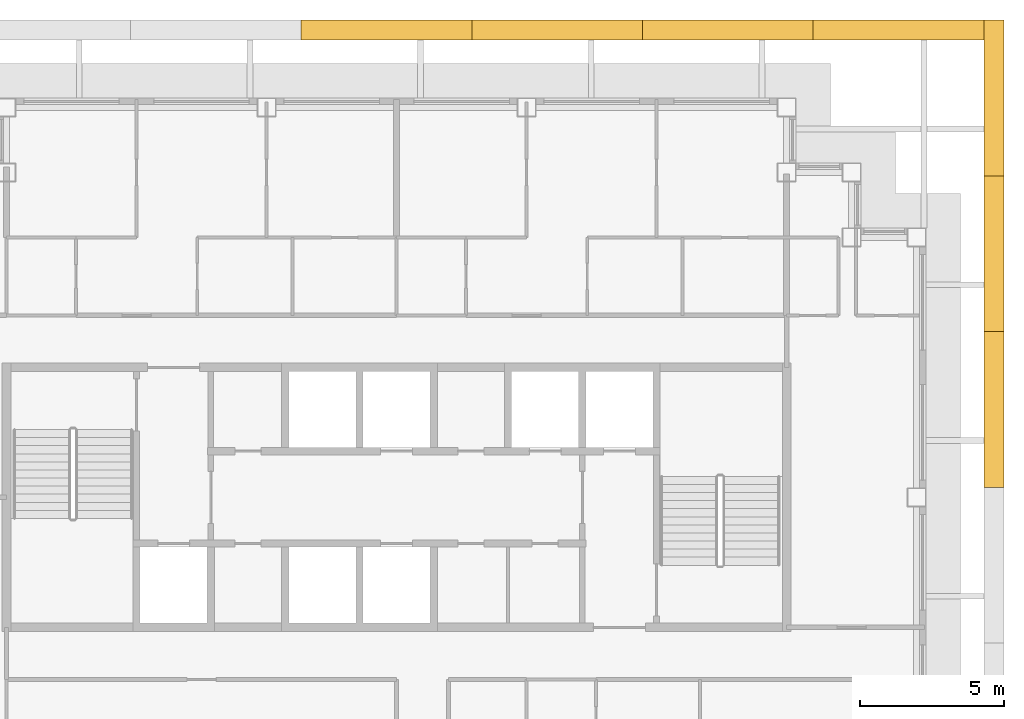
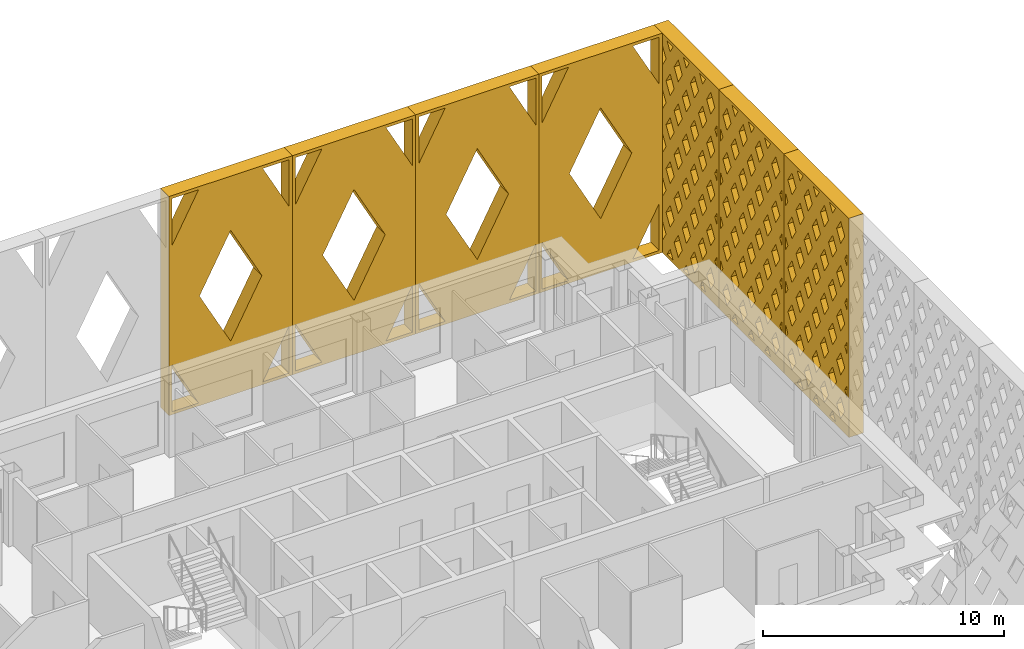
# One storey, part 17 of 17: 7 shading devices.
"""IFC4 building model written with IfcOpenShell, lengths in metres."""

from ifc_helpers import new_model, si_unit, direction, frame, origin, place, context, subcontext, project, spatial, polyline, outline, extrude, material, type_object, element, save


model = new_model("IFC4")

# Units and contexts
model_context = context("Model", 3, precision=1e-05, world=origin(), true_north=direction((0.0, 1.0)))
body_context = subcontext(model_context, "Body", "Model", "MODEL_VIEW")
ifc_project = project(units=[si_unit("LENGTHUNIT", "METRE"), si_unit("AREAUNIT", "SQUARE_METRE"), si_unit("VOLUMEUNIT", "CUBIC_METRE"), si_unit("PLANEANGLEUNIT", "RADIAN"), si_unit("MASSUNIT", "GRAM", prefix="KILO")], contexts=[model_context])

# Site, building, storey
site_placement = place(None, origin())
site = spatial("IfcSite", under=ifc_project, at=site_placement, CompositionType="ELEMENT")
building_placement = place(site_placement, origin())
building = spatial("IfcBuilding", under=site, at=building_placement, Name="Caravel Reach Hotel and Residences", CompositionType="ELEMENT")
storey_placement = place(building_placement, frame((0.0, 0.0, 222.0)))
storey = spatial("IfcBuildingStorey", under=building, at=storey_placement, Name="L56", CompositionType="ELEMENT", Elevation=222.0)

# Shading devices
ifc_material_1 = material(Name="Black powder-coated aluminium", Category="aluminium")
shading_device_type_1 = type_object("IfcShadingDeviceType", Name="Diamond lattice screen panel 5392 x 11100", PredefinedType="USERDEFINED", material=ifc_material_1)
shading_device_1_placement = place(storey_placement, frame((51.824951171875, 27.35009765625, 0.0), z_axis=(1.0, 0.0, 0.0), x_axis=(0.0, 1.0, 0.0)))
element("IfcShadingDevice", 1, at=shading_device_1_placement, inside=storey, type_object=shading_device_type_1, Name="Lattice screen L56-L58 3.4", ObjectType="SCREEN", PredefinedType="USERDEFINED", context=body_context, shape_type="SweptSolid", body=[
    extrude(outline(polyline([(0.0, 0.0), (5.3916015625, 0.0), (5.3916015625, 11.10009765625), (0.0, 11.10009765625), (0.0, 0.0)]), holes=[polyline([(0.338623046875, 2.219970703125), (0.14990234375, 2.53076171875), (0.14990234375, 1.9091796875), (0.338623046875, 2.219970703125)]), polyline([(0.338623046875, 4.43994140625), (0.14990234375, 4.750732421875), (0.14990234375, 4.129150390625), (0.338623046875, 4.43994140625)]), polyline([(0.338623046875, 6.659912109375), (0.14990234375, 6.970703125), (0.14990234375, 6.34912109375), (0.338623046875, 6.659912109375)]), polyline([(0.338623046875, 8.8798828125), (0.14990234375, 9.190673828125), (0.14990234375, 8.5693359375), (0.338623046875, 8.8798828125)]), polyline([(0.674072265625, 1.667724609375), (0.335205078125, 1.110107421875), (0.674072265625, 0.55224609375), (1.0126953125, 1.110107421875), (0.674072265625, 1.667724609375)]), polyline([(0.674072265625, 3.887939453125), (0.335205078125, 3.330078125), (0.674072265625, 2.772216796875), (1.0126953125, 3.330078125), (0.674072265625, 3.887939453125)]), polyline([(0.674072265625, 6.10791015625), (0.335205078125, 5.550048828125), (0.674072265625, 4.9921875), (1.0126953125, 5.550048828125), (0.674072265625, 6.10791015625)]), polyline([(0.674072265625, 8.327880859375), (0.335205078125, 7.77001953125), (0.674072265625, 7.212158203125), (1.0126953125, 7.77001953125), (0.674072265625, 8.327880859375)]), polyline([(0.674072265625, 10.5478515625), (0.335205078125, 9.989990234375), (0.674072265625, 9.43212890625), (1.0126953125, 9.989990234375), (0.674072265625, 10.5478515625)]), polyline([(1.347900390625, 0.557861328125), (1.100341796875, 0.14990234375), (1.595458984375, 0.14990234375), (1.347900390625, 0.557861328125)]), polyline([(1.347900390625, 2.77783203125), (1.00927734375, 2.219970703125), (1.347900390625, 1.662109375), (1.6865234375, 2.219970703125), (1.347900390625, 2.77783203125)]), polyline([(1.347900390625, 4.997802734375), (1.00927734375, 4.43994140625), (1.347900390625, 3.882080078125), (1.6865234375, 4.43994140625), (1.347900390625, 4.997802734375)]), polyline([(1.347900390625, 7.2177734375), (1.00927734375, 6.659912109375), (1.347900390625, 6.102294921875), (1.6865234375, 6.659912109375), (1.347900390625, 7.2177734375)]), polyline([(1.347900390625, 9.437744140625), (1.00927734375, 8.8798828125), (1.347900390625, 8.322265625), (1.6865234375, 8.8798828125), (1.347900390625, 9.437744140625)]), polyline([(1.347900390625, 10.542236328125), (1.595458984375, 10.949951171875), (1.100341796875, 10.949951171875), (1.347900390625, 10.542236328125)]), polyline([(2.02197265625, 1.667724609375), (1.68310546875, 1.110107421875), (2.02197265625, 0.55224609375), (2.360595703125, 1.110107421875), (2.02197265625, 1.667724609375)]), polyline([(2.02197265625, 3.887939453125), (1.68310546875, 3.330078125), (2.02197265625, 2.772216796875), (2.360595703125, 3.330078125), (2.02197265625, 3.887939453125)]), polyline([(2.02197265625, 6.10791015625), (1.68310546875, 5.550048828125), (2.02197265625, 4.9921875), (2.360595703125, 5.550048828125), (2.02197265625, 6.10791015625)]), polyline([(2.02197265625, 8.327880859375), (1.68310546875, 7.77001953125), (2.02197265625, 7.212158203125), (2.360595703125, 7.77001953125), (2.02197265625, 8.327880859375)]), polyline([(2.02197265625, 10.5478515625), (1.68310546875, 9.989990234375), (2.02197265625, 9.43212890625), (2.360595703125, 9.989990234375), (2.02197265625, 10.5478515625)]), polyline([(2.69580078125, 0.557861328125), (2.4482421875, 0.14990234375), (2.943359375, 0.14990234375), (2.69580078125, 0.557861328125)]), polyline([(2.69580078125, 2.77783203125), (2.357177734375, 2.219970703125), (2.69580078125, 1.662109375), (3.034423828125, 2.219970703125), (2.69580078125, 2.77783203125)]), polyline([(2.69580078125, 4.997802734375), (2.357177734375, 4.43994140625), (2.69580078125, 3.882080078125), (3.034423828125, 4.43994140625), (2.69580078125, 4.997802734375)]), polyline([(2.69580078125, 7.2177734375), (2.357177734375, 6.659912109375), (2.69580078125, 6.102294921875), (3.034423828125, 6.659912109375), (2.69580078125, 7.2177734375)]), polyline([(2.69580078125, 9.437744140625), (2.357177734375, 8.8798828125), (2.69580078125, 8.322265625), (3.034423828125, 8.8798828125), (2.69580078125, 9.437744140625)]), polyline([(2.69580078125, 10.542236328125), (2.943359375, 10.949951171875), (2.4482421875, 10.949951171875), (2.69580078125, 10.542236328125)]), polyline([(3.369873046875, 1.667724609375), (3.031005859375, 1.110107421875), (3.369873046875, 0.55224609375), (3.70849609375, 1.110107421875), (3.369873046875, 1.667724609375)]), polyline([(3.369873046875, 3.887939453125), (3.031005859375, 3.330078125), (3.369873046875, 2.772216796875), (3.70849609375, 3.330078125), (3.369873046875, 3.887939453125)]), polyline([(3.369873046875, 6.10791015625), (3.031005859375, 5.550048828125), (3.369873046875, 4.9921875), (3.70849609375, 5.550048828125), (3.369873046875, 6.10791015625)]), polyline([(3.369873046875, 8.327880859375), (3.031005859375, 7.77001953125), (3.369873046875, 7.212158203125), (3.70849609375, 7.77001953125), (3.369873046875, 8.327880859375)]), polyline([(3.369873046875, 10.5478515625), (3.031005859375, 9.989990234375), (3.369873046875, 9.43212890625), (3.70849609375, 9.989990234375), (3.369873046875, 10.5478515625)]), polyline([(4.043701171875, 0.557861328125), (3.796142578125, 0.14990234375), (4.291259765625, 0.14990234375), (4.043701171875, 0.557861328125)]), polyline([(4.043701171875, 2.77783203125), (3.705078125, 2.219970703125), (4.043701171875, 1.662109375), (4.38232421875, 2.219970703125), (4.043701171875, 2.77783203125)]), polyline([(4.043701171875, 4.997802734375), (3.705078125, 4.43994140625), (4.043701171875, 3.882080078125), (4.38232421875, 4.43994140625), (4.043701171875, 4.997802734375)]), polyline([(4.043701171875, 7.2177734375), (3.705078125, 6.659912109375), (4.043701171875, 6.102294921875), (4.38232421875, 6.659912109375), (4.043701171875, 7.2177734375)]), polyline([(4.043701171875, 9.437744140625), (3.705078125, 8.8798828125), (4.043701171875, 8.322265625), (4.38232421875, 8.8798828125), (4.043701171875, 9.437744140625)]), polyline([(4.043701171875, 10.542236328125), (4.291259765625, 10.949951171875), (3.796142578125, 10.949951171875), (4.043701171875, 10.542236328125)]), polyline([(4.7177734375, 1.667724609375), (4.37890625, 1.110107421875), (4.7177734375, 0.55224609375), (5.056396484375, 1.110107421875), (4.7177734375, 1.667724609375)]), polyline([(4.7177734375, 3.887939453125), (4.37890625, 3.330078125), (4.7177734375, 2.772216796875), (5.056396484375, 3.330078125), (4.7177734375, 3.887939453125)]), polyline([(4.7177734375, 6.10791015625), (4.37890625, 5.550048828125), (4.7177734375, 4.9921875), (5.056396484375, 5.550048828125), (4.7177734375, 6.10791015625)]), polyline([(4.7177734375, 8.327880859375), (4.37890625, 7.77001953125), (4.7177734375, 7.212158203125), (5.056396484375, 7.77001953125), (4.7177734375, 8.327880859375)]), polyline([(4.7177734375, 10.5478515625), (4.37890625, 9.989990234375), (4.7177734375, 9.43212890625), (5.056396484375, 9.989990234375), (4.7177734375, 10.5478515625)]), polyline([(5.052978515625, 2.219970703125), (5.24169921875, 1.9091796875), (5.24169921875, 2.53076171875), (5.052978515625, 2.219970703125)]), polyline([(5.052978515625, 4.43994140625), (5.24169921875, 4.129150390625), (5.24169921875, 4.750732421875), (5.052978515625, 4.43994140625)]), polyline([(5.052978515625, 6.659912109375), (5.24169921875, 6.34912109375), (5.24169921875, 6.970703125), (5.052978515625, 6.659912109375)]), polyline([(5.052978515625, 8.8798828125), (5.24169921875, 8.5693359375), (5.24169921875, 9.190673828125), (5.052978515625, 8.8798828125)])]), origin(), (0.0, 0.0, 1.0), 0.699951171875),
])
shading_device_2_placement = place(storey_placement, frame((51.824951171875, 32.74169921875, 0.0), z_axis=(1.0, 0.0, 0.0), x_axis=(0.0, 1.0, 0.0)))
element("IfcShadingDevice", 2, at=shading_device_2_placement, inside=storey, type_object=shading_device_type_1, Name="Lattice screen L56-L58 3.5", ObjectType="SCREEN", PredefinedType="USERDEFINED", context=body_context, shape_type="SweptSolid", body=[
    extrude(outline(polyline([(0.0, 0.0), (5.3916015625, 0.0), (5.3916015625, 11.10009765625), (0.0, 11.10009765625), (0.0, 0.0)]), holes=[polyline([(0.338623046875, 2.219970703125), (0.14990234375, 2.53076171875), (0.14990234375, 1.9091796875), (0.338623046875, 2.219970703125)]), polyline([(0.338623046875, 4.43994140625), (0.14990234375, 4.750732421875), (0.14990234375, 4.129150390625), (0.338623046875, 4.43994140625)]), polyline([(0.338623046875, 6.659912109375), (0.14990234375, 6.970703125), (0.14990234375, 6.34912109375), (0.338623046875, 6.659912109375)]), polyline([(0.338623046875, 8.8798828125), (0.14990234375, 9.190673828125), (0.14990234375, 8.5693359375), (0.338623046875, 8.8798828125)]), polyline([(0.674072265625, 1.667724609375), (0.335205078125, 1.110107421875), (0.674072265625, 0.55224609375), (1.0126953125, 1.110107421875), (0.674072265625, 1.667724609375)]), polyline([(0.674072265625, 3.887939453125), (0.335205078125, 3.330078125), (0.674072265625, 2.772216796875), (1.0126953125, 3.330078125), (0.674072265625, 3.887939453125)]), polyline([(0.674072265625, 6.10791015625), (0.335205078125, 5.550048828125), (0.674072265625, 4.9921875), (1.0126953125, 5.550048828125), (0.674072265625, 6.10791015625)]), polyline([(0.674072265625, 8.327880859375), (0.335205078125, 7.77001953125), (0.674072265625, 7.212158203125), (1.0126953125, 7.77001953125), (0.674072265625, 8.327880859375)]), polyline([(0.674072265625, 10.5478515625), (0.335205078125, 9.989990234375), (0.674072265625, 9.43212890625), (1.0126953125, 9.989990234375), (0.674072265625, 10.5478515625)]), polyline([(1.347900390625, 0.557861328125), (1.100341796875, 0.14990234375), (1.595458984375, 0.14990234375), (1.347900390625, 0.557861328125)]), polyline([(1.347900390625, 2.77783203125), (1.00927734375, 2.219970703125), (1.347900390625, 1.662109375), (1.6865234375, 2.219970703125), (1.347900390625, 2.77783203125)]), polyline([(1.347900390625, 4.997802734375), (1.00927734375, 4.43994140625), (1.347900390625, 3.882080078125), (1.6865234375, 4.43994140625), (1.347900390625, 4.997802734375)]), polyline([(1.347900390625, 7.2177734375), (1.00927734375, 6.659912109375), (1.347900390625, 6.102294921875), (1.6865234375, 6.659912109375), (1.347900390625, 7.2177734375)]), polyline([(1.347900390625, 9.437744140625), (1.00927734375, 8.8798828125), (1.347900390625, 8.322265625), (1.6865234375, 8.8798828125), (1.347900390625, 9.437744140625)]), polyline([(1.347900390625, 10.542236328125), (1.595458984375, 10.949951171875), (1.100341796875, 10.949951171875), (1.347900390625, 10.542236328125)]), polyline([(2.02197265625, 1.667724609375), (1.68310546875, 1.110107421875), (2.02197265625, 0.55224609375), (2.360595703125, 1.110107421875), (2.02197265625, 1.667724609375)]), polyline([(2.02197265625, 3.887939453125), (1.68310546875, 3.330078125), (2.02197265625, 2.772216796875), (2.360595703125, 3.330078125), (2.02197265625, 3.887939453125)]), polyline([(2.02197265625, 6.10791015625), (1.68310546875, 5.550048828125), (2.02197265625, 4.9921875), (2.360595703125, 5.550048828125), (2.02197265625, 6.10791015625)]), polyline([(2.02197265625, 8.327880859375), (1.68310546875, 7.77001953125), (2.02197265625, 7.212158203125), (2.360595703125, 7.77001953125), (2.02197265625, 8.327880859375)]), polyline([(2.02197265625, 10.5478515625), (1.68310546875, 9.989990234375), (2.02197265625, 9.43212890625), (2.360595703125, 9.989990234375), (2.02197265625, 10.5478515625)]), polyline([(2.69580078125, 0.557861328125), (2.4482421875, 0.14990234375), (2.943359375, 0.14990234375), (2.69580078125, 0.557861328125)]), polyline([(2.69580078125, 2.77783203125), (2.357177734375, 2.219970703125), (2.69580078125, 1.662109375), (3.034423828125, 2.219970703125), (2.69580078125, 2.77783203125)]), polyline([(2.69580078125, 4.997802734375), (2.357177734375, 4.43994140625), (2.69580078125, 3.882080078125), (3.034423828125, 4.43994140625), (2.69580078125, 4.997802734375)]), polyline([(2.69580078125, 7.2177734375), (2.357177734375, 6.659912109375), (2.69580078125, 6.102294921875), (3.034423828125, 6.659912109375), (2.69580078125, 7.2177734375)]), polyline([(2.69580078125, 9.437744140625), (2.357177734375, 8.8798828125), (2.69580078125, 8.322265625), (3.034423828125, 8.8798828125), (2.69580078125, 9.437744140625)]), polyline([(2.69580078125, 10.542236328125), (2.943359375, 10.949951171875), (2.4482421875, 10.949951171875), (2.69580078125, 10.542236328125)]), polyline([(3.369873046875, 1.667724609375), (3.031005859375, 1.110107421875), (3.369873046875, 0.55224609375), (3.70849609375, 1.110107421875), (3.369873046875, 1.667724609375)]), polyline([(3.369873046875, 3.887939453125), (3.031005859375, 3.330078125), (3.369873046875, 2.772216796875), (3.70849609375, 3.330078125), (3.369873046875, 3.887939453125)]), polyline([(3.369873046875, 6.10791015625), (3.031005859375, 5.550048828125), (3.369873046875, 4.9921875), (3.70849609375, 5.550048828125), (3.369873046875, 6.10791015625)]), polyline([(3.369873046875, 8.327880859375), (3.031005859375, 7.77001953125), (3.369873046875, 7.212158203125), (3.70849609375, 7.77001953125), (3.369873046875, 8.327880859375)]), polyline([(3.369873046875, 10.5478515625), (3.031005859375, 9.989990234375), (3.369873046875, 9.43212890625), (3.70849609375, 9.989990234375), (3.369873046875, 10.5478515625)]), polyline([(4.043701171875, 0.557861328125), (3.796142578125, 0.14990234375), (4.291259765625, 0.14990234375), (4.043701171875, 0.557861328125)]), polyline([(4.043701171875, 2.77783203125), (3.705078125, 2.219970703125), (4.043701171875, 1.662109375), (4.38232421875, 2.219970703125), (4.043701171875, 2.77783203125)]), polyline([(4.043701171875, 4.997802734375), (3.705078125, 4.43994140625), (4.043701171875, 3.882080078125), (4.38232421875, 4.43994140625), (4.043701171875, 4.997802734375)]), polyline([(4.043701171875, 7.2177734375), (3.705078125, 6.659912109375), (4.043701171875, 6.102294921875), (4.38232421875, 6.659912109375), (4.043701171875, 7.2177734375)]), polyline([(4.043701171875, 9.437744140625), (3.705078125, 8.8798828125), (4.043701171875, 8.322265625), (4.38232421875, 8.8798828125), (4.043701171875, 9.437744140625)]), polyline([(4.043701171875, 10.542236328125), (4.291259765625, 10.949951171875), (3.796142578125, 10.949951171875), (4.043701171875, 10.542236328125)]), polyline([(4.7177734375, 1.667724609375), (4.37890625, 1.110107421875), (4.7177734375, 0.55224609375), (5.056396484375, 1.110107421875), (4.7177734375, 1.667724609375)]), polyline([(4.7177734375, 3.887939453125), (4.37890625, 3.330078125), (4.7177734375, 2.772216796875), (5.056396484375, 3.330078125), (4.7177734375, 3.887939453125)]), polyline([(4.7177734375, 6.10791015625), (4.37890625, 5.550048828125), (4.7177734375, 4.9921875), (5.056396484375, 5.550048828125), (4.7177734375, 6.10791015625)]), polyline([(4.7177734375, 8.327880859375), (4.37890625, 7.77001953125), (4.7177734375, 7.212158203125), (5.056396484375, 7.77001953125), (4.7177734375, 8.327880859375)]), polyline([(4.7177734375, 10.5478515625), (4.37890625, 9.989990234375), (4.7177734375, 9.43212890625), (5.056396484375, 9.989990234375), (4.7177734375, 10.5478515625)]), polyline([(5.052978515625, 2.219970703125), (5.24169921875, 1.9091796875), (5.24169921875, 2.53076171875), (5.052978515625, 2.219970703125)]), polyline([(5.052978515625, 4.43994140625), (5.24169921875, 4.129150390625), (5.24169921875, 4.750732421875), (5.052978515625, 4.43994140625)]), polyline([(5.052978515625, 6.659912109375), (5.24169921875, 6.34912109375), (5.24169921875, 6.970703125), (5.052978515625, 6.659912109375)]), polyline([(5.052978515625, 8.8798828125), (5.24169921875, 8.5693359375), (5.24169921875, 9.190673828125), (5.052978515625, 8.8798828125)])]), origin(), (0.0, 0.0, 1.0), 0.699951171875),
])
shading_device_3_placement = place(storey_placement, frame((51.824951171875, 38.13330078125, 0.0), z_axis=(1.0, 0.0, 0.0), x_axis=(0.0, 1.0, 0.0)))
element("IfcShadingDevice", 3, at=shading_device_3_placement, inside=storey, type_object=shading_device_type_1, Name="Lattice screen L56-L58 3.6", ObjectType="SCREEN", PredefinedType="USERDEFINED", context=body_context, shape_type="SweptSolid", body=[
    extrude(outline(polyline([(0.0, 0.0), (5.3916015625, 0.0), (5.3916015625, 11.10009765625), (0.0, 11.10009765625), (0.0, 0.0)]), holes=[polyline([(0.338623046875, 2.219970703125), (0.14990234375, 2.53076171875), (0.14990234375, 1.9091796875), (0.338623046875, 2.219970703125)]), polyline([(0.338623046875, 4.43994140625), (0.14990234375, 4.750732421875), (0.14990234375, 4.129150390625), (0.338623046875, 4.43994140625)]), polyline([(0.338623046875, 6.659912109375), (0.14990234375, 6.970703125), (0.14990234375, 6.34912109375), (0.338623046875, 6.659912109375)]), polyline([(0.338623046875, 8.8798828125), (0.14990234375, 9.190673828125), (0.14990234375, 8.5693359375), (0.338623046875, 8.8798828125)]), polyline([(0.674072265625, 1.667724609375), (0.335205078125, 1.110107421875), (0.674072265625, 0.55224609375), (1.0126953125, 1.110107421875), (0.674072265625, 1.667724609375)]), polyline([(0.674072265625, 3.887939453125), (0.335205078125, 3.330078125), (0.674072265625, 2.772216796875), (1.0126953125, 3.330078125), (0.674072265625, 3.887939453125)]), polyline([(0.674072265625, 6.10791015625), (0.335205078125, 5.550048828125), (0.674072265625, 4.9921875), (1.0126953125, 5.550048828125), (0.674072265625, 6.10791015625)]), polyline([(0.674072265625, 8.327880859375), (0.335205078125, 7.77001953125), (0.674072265625, 7.212158203125), (1.0126953125, 7.77001953125), (0.674072265625, 8.327880859375)]), polyline([(0.674072265625, 10.5478515625), (0.335205078125, 9.989990234375), (0.674072265625, 9.43212890625), (1.0126953125, 9.989990234375), (0.674072265625, 10.5478515625)]), polyline([(1.347900390625, 0.557861328125), (1.100341796875, 0.14990234375), (1.595458984375, 0.14990234375), (1.347900390625, 0.557861328125)]), polyline([(1.347900390625, 2.77783203125), (1.00927734375, 2.219970703125), (1.347900390625, 1.662109375), (1.6865234375, 2.219970703125), (1.347900390625, 2.77783203125)]), polyline([(1.347900390625, 4.997802734375), (1.00927734375, 4.43994140625), (1.347900390625, 3.882080078125), (1.6865234375, 4.43994140625), (1.347900390625, 4.997802734375)]), polyline([(1.347900390625, 7.2177734375), (1.00927734375, 6.659912109375), (1.347900390625, 6.102294921875), (1.6865234375, 6.659912109375), (1.347900390625, 7.2177734375)]), polyline([(1.347900390625, 9.437744140625), (1.00927734375, 8.8798828125), (1.347900390625, 8.322265625), (1.6865234375, 8.8798828125), (1.347900390625, 9.437744140625)]), polyline([(1.347900390625, 10.542236328125), (1.595458984375, 10.949951171875), (1.100341796875, 10.949951171875), (1.347900390625, 10.542236328125)]), polyline([(2.02197265625, 1.667724609375), (1.68310546875, 1.110107421875), (2.02197265625, 0.55224609375), (2.360595703125, 1.110107421875), (2.02197265625, 1.667724609375)]), polyline([(2.02197265625, 3.887939453125), (1.68310546875, 3.330078125), (2.02197265625, 2.772216796875), (2.360595703125, 3.330078125), (2.02197265625, 3.887939453125)]), polyline([(2.02197265625, 6.10791015625), (1.68310546875, 5.550048828125), (2.02197265625, 4.9921875), (2.360595703125, 5.550048828125), (2.02197265625, 6.10791015625)]), polyline([(2.02197265625, 8.327880859375), (1.68310546875, 7.77001953125), (2.02197265625, 7.212158203125), (2.360595703125, 7.77001953125), (2.02197265625, 8.327880859375)]), polyline([(2.02197265625, 10.5478515625), (1.68310546875, 9.989990234375), (2.02197265625, 9.43212890625), (2.360595703125, 9.989990234375), (2.02197265625, 10.5478515625)]), polyline([(2.69580078125, 0.557861328125), (2.4482421875, 0.14990234375), (2.943359375, 0.14990234375), (2.69580078125, 0.557861328125)]), polyline([(2.69580078125, 2.77783203125), (2.357177734375, 2.219970703125), (2.69580078125, 1.662109375), (3.034423828125, 2.219970703125), (2.69580078125, 2.77783203125)]), polyline([(2.69580078125, 4.997802734375), (2.357177734375, 4.43994140625), (2.69580078125, 3.882080078125), (3.034423828125, 4.43994140625), (2.69580078125, 4.997802734375)]), polyline([(2.69580078125, 7.2177734375), (2.357177734375, 6.659912109375), (2.69580078125, 6.102294921875), (3.034423828125, 6.659912109375), (2.69580078125, 7.2177734375)]), polyline([(2.69580078125, 9.437744140625), (2.357177734375, 8.8798828125), (2.69580078125, 8.322265625), (3.034423828125, 8.8798828125), (2.69580078125, 9.437744140625)]), polyline([(2.69580078125, 10.542236328125), (2.943359375, 10.949951171875), (2.4482421875, 10.949951171875), (2.69580078125, 10.542236328125)]), polyline([(3.369873046875, 1.667724609375), (3.031005859375, 1.110107421875), (3.369873046875, 0.55224609375), (3.70849609375, 1.110107421875), (3.369873046875, 1.667724609375)]), polyline([(3.369873046875, 3.887939453125), (3.031005859375, 3.330078125), (3.369873046875, 2.772216796875), (3.70849609375, 3.330078125), (3.369873046875, 3.887939453125)]), polyline([(3.369873046875, 6.10791015625), (3.031005859375, 5.550048828125), (3.369873046875, 4.9921875), (3.70849609375, 5.550048828125), (3.369873046875, 6.10791015625)]), polyline([(3.369873046875, 8.327880859375), (3.031005859375, 7.77001953125), (3.369873046875, 7.212158203125), (3.70849609375, 7.77001953125), (3.369873046875, 8.327880859375)]), polyline([(3.369873046875, 10.5478515625), (3.031005859375, 9.989990234375), (3.369873046875, 9.43212890625), (3.70849609375, 9.989990234375), (3.369873046875, 10.5478515625)]), polyline([(4.043701171875, 0.557861328125), (3.796142578125, 0.14990234375), (4.291259765625, 0.14990234375), (4.043701171875, 0.557861328125)]), polyline([(4.043701171875, 2.77783203125), (3.705078125, 2.219970703125), (4.043701171875, 1.662109375), (4.38232421875, 2.219970703125), (4.043701171875, 2.77783203125)]), polyline([(4.043701171875, 4.997802734375), (3.705078125, 4.43994140625), (4.043701171875, 3.882080078125), (4.38232421875, 4.43994140625), (4.043701171875, 4.997802734375)]), polyline([(4.043701171875, 7.2177734375), (3.705078125, 6.659912109375), (4.043701171875, 6.102294921875), (4.38232421875, 6.659912109375), (4.043701171875, 7.2177734375)]), polyline([(4.043701171875, 9.437744140625), (3.705078125, 8.8798828125), (4.043701171875, 8.322265625), (4.38232421875, 8.8798828125), (4.043701171875, 9.437744140625)]), polyline([(4.043701171875, 10.542236328125), (4.291259765625, 10.949951171875), (3.796142578125, 10.949951171875), (4.043701171875, 10.542236328125)]), polyline([(4.7177734375, 1.667724609375), (4.37890625, 1.110107421875), (4.7177734375, 0.55224609375), (5.056396484375, 1.110107421875), (4.7177734375, 1.667724609375)]), polyline([(4.7177734375, 3.887939453125), (4.37890625, 3.330078125), (4.7177734375, 2.772216796875), (5.056396484375, 3.330078125), (4.7177734375, 3.887939453125)]), polyline([(4.7177734375, 6.10791015625), (4.37890625, 5.550048828125), (4.7177734375, 4.9921875), (5.056396484375, 5.550048828125), (4.7177734375, 6.10791015625)]), polyline([(4.7177734375, 8.327880859375), (4.37890625, 7.77001953125), (4.7177734375, 7.212158203125), (5.056396484375, 7.77001953125), (4.7177734375, 8.327880859375)]), polyline([(4.7177734375, 10.5478515625), (4.37890625, 9.989990234375), (4.7177734375, 9.43212890625), (5.056396484375, 9.989990234375), (4.7177734375, 10.5478515625)]), polyline([(5.052978515625, 2.219970703125), (5.24169921875, 1.9091796875), (5.24169921875, 2.53076171875), (5.052978515625, 2.219970703125)]), polyline([(5.052978515625, 4.43994140625), (5.24169921875, 4.129150390625), (5.24169921875, 4.750732421875), (5.052978515625, 4.43994140625)]), polyline([(5.052978515625, 6.659912109375), (5.24169921875, 6.34912109375), (5.24169921875, 6.970703125), (5.052978515625, 6.659912109375)]), polyline([(5.052978515625, 8.8798828125), (5.24169921875, 8.5693359375), (5.24169921875, 9.190673828125), (5.052978515625, 8.8798828125)])]), origin(), (0.0, 0.0, 1.0), 0.699951171875),
])
ifc_material_2 = material(Name="Black powder-coated aluminium", Category="aluminium")
shading_device_type_2 = type_object("IfcShadingDeviceType", Name="Diamond lattice screen panel 5907 x 11100", PredefinedType="USERDEFINED", material=ifc_material_2)
for number, where, z_axis, x_axis, name in (
    (4, (51.824951171875, 42.824951171875, 0.0), (0.0, 1.0, 0.0), (-1.0, 0.0, 0.0), "Lattice screen L56-L58 4.1"),
    (5, (45.91796875, 42.824951171875, 0.0), (0.0, 1.0, 0.0), (-1.0, 0.0, 0.0), "Lattice screen L56-L58 4.2"),
    (6, (40.0107421875, 42.824951171875, 0.0), (0.0, 1.0, 0.0), (-1.0, 0.0, 0.0), "Lattice screen L56-L58 4.3"),
    (7, (34.103515625, 42.824951171875, 0.0), (0.0, 1.0, 0.0), (-1.0, 0.0, 0.0), "Lattice screen L56-L58 4.4"),
):
    element("IfcShadingDevice", number, at=place(storey_placement, frame(where, z_axis=z_axis, x_axis=x_axis)), inside=storey, type_object=shading_device_type_2, Name=name, ObjectType="SCREEN", PredefinedType="USERDEFINED", context=body_context, shape_type="SweptSolid", body=[
        extrude(outline(polyline([(0.0, 0.0), (5.9072265625, 0.0), (5.9072265625, 11.10009765625), (0.0, 11.10009765625), (0.0, 0.0)]), holes=[polyline([(1.415771484375, 0.14990234375), (0.14990234375, 2.5283203125), (0.14990234375, 0.14990234375), (1.415771484375, 0.14990234375)]), polyline([(0.14990234375, 8.57177734375), (1.415771484375, 10.949951171875), (0.14990234375, 10.949951171875), (0.14990234375, 8.57177734375)]), polyline([(2.95361328125, 8.360107421875), (1.4580078125, 5.550048828125), (2.95361328125, 2.73974609375), (4.448974609375, 5.550048828125), (2.95361328125, 8.360107421875)]), polyline([(5.757080078125, 2.5283203125), (4.491455078125, 0.14990234375), (5.757080078125, 0.14990234375), (5.757080078125, 2.5283203125)]), polyline([(4.491455078125, 10.949951171875), (5.757080078125, 8.57177734375), (5.757080078125, 10.949951171875), (4.491455078125, 10.949951171875)])]), origin(), (0.0, 0.0, 1.0), 0.699951171875),
    ])

save(model, "model.ifc")
